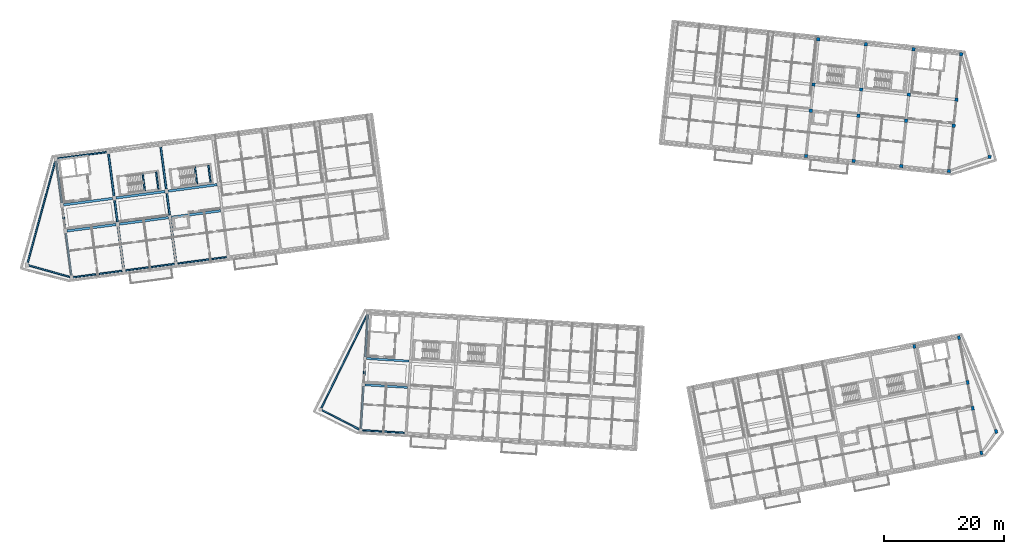
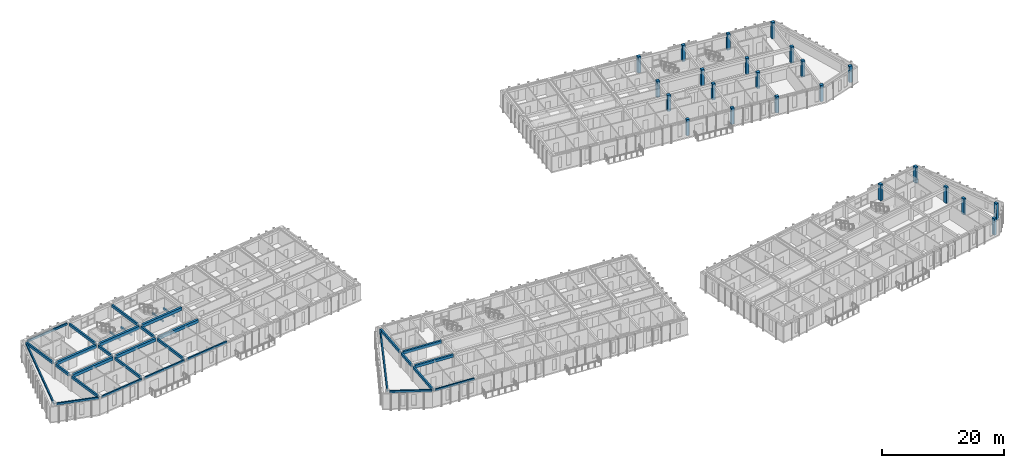
# One storey, part 2 of 68: 33 beams, 23 columns.
"""IFC4 building model written with IfcOpenShell, lengths in metres."""

from ifc_helpers import new_model, si_unit, direction, frame, origin, origin_2d, place, context, subcontext, project, spatial, rectangle, extrude, material, material_profile, profile_set, type_object, element, save


model = new_model("IFC4")

# Units and contexts
model_context = context("Model", 3, precision=1e-05, world=origin(), true_north=direction((0.0, 1.0)))
body_context = subcontext(model_context, "Body", "Model", "MODEL_VIEW")
ifc_project = project(units=[si_unit("LENGTHUNIT", "METRE"), si_unit("AREAUNIT", "SQUARE_METRE"), si_unit("VOLUMEUNIT", "CUBIC_METRE"), si_unit("PLANEANGLEUNIT", "RADIAN"), si_unit("MASSUNIT", "GRAM", prefix="KILO")], contexts=[model_context])

# Site, building, storey
site_placement = place(None, origin())
site = spatial("IfcSite", under=ifc_project, at=site_placement, CompositionType="ELEMENT")
building_placement = place(site_placement, origin())
building = spatial("IfcBuilding", under=site, at=building_placement, Name="Kestramere Prow Commons", CompositionType="ELEMENT")
storey_placement = place(building_placement, frame((0.0, 0.0, 18.14990234375)))
storey = spatial("IfcBuildingStorey", under=building, at=storey_placement, Name="L05", CompositionType="ELEMENT", Elevation=18.14990234375)

# Columns
ifc_material_1 = material(Name="Precast concrete C40/50", Category="concrete")
ifc_material_profile_1 = material_profile(ifc_material_1, rectangle(XDim=0.550048828125, YDim=0.550048828125, at=origin_2d()), Name="PC-COL 550x550")
ifc_profile_set_1 = profile_set([ifc_material_profile_1], Name="Precast concrete C40/50")
column_type_1 = type_object("IfcColumnType", Name="C-B2 PC-COL 550x550", PredefinedType="COLUMN", material=ifc_profile_set_1)
for number, where, z_axis, x_axis, name in (
    (1, (133.868408203125, 92.291259765625, 0.0), (0.0, 0.0, 1.0), (0.994521895368, -0.104528463268, 0.0), "Block B L05 Column 4-1"),
    (2, (134.662841796875, 99.849609375, 0.0), (0.0, 0.0, 1.0), (0.994521895368, -0.104528463268, 0.0), "Block B L05 Column 4-2"),
    (3, (135.122802734375, 104.2255859375, 0.0), (0.0, 0.0, 1.0), (0.994521895368, -0.104528463268, 0.0), "Block B L05 Column 4-3"),
    (4, (135.917236328125, 111.783935546875, 0.0), (0.0, 0.0, 1.0), (0.994521895368, -0.104528463268, 0.0), "Block B L05 Column 4-4"),
    (5, (141.82470703125, 91.455078125, 0.0), (0.0, 0.0, 1.0), (0.994521895368, -0.104528463268, 0.0), "Block B L05 Column 5-1"),
    (6, (142.619140625, 99.013427734375, 0.0), (0.0, 0.0, 1.0), (0.994521895368, -0.104528463268, 0.0), "Block B L05 Column 5-2"),
    (7, (143.0791015625, 103.389404296875, 0.0), (0.0, 0.0, 1.0), (0.994521895368, -0.104528463268, 0.0), "Block B L05 Column 5-3"),
    (8, (143.87353515625, 110.94775390625, 0.0), (0.0, 0.0, 1.0), (0.994521895368, -0.104528463268, 0.0), "Block B L05 Column 5-4"),
    (9, (149.78076171875, 90.618896484375, 0.0), (0.0, 0.0, 1.0), (0.994521895368, -0.104528463268, 0.0), "Block B L05 Column 6-1"),
    (10, (150.5751953125, 98.17724609375, 0.0), (0.0, 0.0, 1.0), (0.994521895368, -0.104528463268, 0.0), "Block B L05 Column 6-2"),
    (11, (151.03515625, 102.55322265625, 0.0), (0.0, 0.0, 1.0), (0.994521895368, -0.104528463268, 0.0), "Block B L05 Column 6-3"),
    (12, (151.82958984375, 110.111572265625, 0.0), (0.0, 0.0, 1.0), (0.994521895368, -0.104528463268, 0.0), "Block B L05 Column 6-4"),
    (13, (157.737060546875, 89.78271484375, 0.0), (0.0, 0.0, 1.0), (0.994521895368, -0.104528463268, 0.0), "Block B L05 Column 7-1"),
    (14, (158.531494140625, 97.341064453125, 0.0), (0.0, 0.0, 1.0), (0.994521895368, -0.104528463268, 0.0), "Block B L05 Column 7-2"),
    (15, (158.991455078125, 101.716796875, 0.0), (0.0, 0.0, 1.0), (0.994521895368, -0.104528463268, 0.0), "Block B L05 Column 7-3"),
    (16, (159.785888671875, 109.275146484375, 0.0), (0.0, 0.0, 1.0), (0.994521895368, -0.104528463268, 0.0), "Block B L05 Column 7-4"),
    (17, (164.520263671875, 92.136474609375, 0.0), (0.0, 0.0, 1.0), (0.994521895368, -0.104528463268, 0.0), "Block B L05 Prow Apex Column"),
):
    element("IfcColumn", number, at=place(storey_placement, frame(where, z_axis=z_axis, x_axis=x_axis)), inside=storey, type_object=column_type_1, Name=name, PredefinedType="COLUMN", context=body_context, shape_type="SweptSolid", body=[
        extrude(rectangle(XDim=0.550048828125, YDim=0.550048828125, at=origin_2d()), origin(), (0.0, 0.0, 1.0), 3.25),
    ])
ifc_material_profile_2 = material_profile(ifc_material_1, rectangle(XDim=0.449951171875, YDim=0.64990234375, at=origin_2d()), Name="PC-COL 450x650")
ifc_profile_set_2 = profile_set([ifc_material_profile_2], Name="Precast concrete C40/50")
column_type_2 = type_object("IfcColumnType", Name="C-D3 PC-COL 450x650", PredefinedType="COLUMN", material=ifc_profile_set_2)
for number, where, z_axis, x_axis, name in (
    (18, (151.9619140625, 60.49072265625, 0.0), (0.0, 0.0, 1.0), (0.981627183448, 0.190808995377, 0.0), "Block D L05 Column 6-4"),
    (19, (163.162109375, 42.700927734375, 0.0), (0.0, 0.0, 1.0), (0.981627183448, 0.190808995377, 0.0), "Block D L05 Column 7-1"),
    (20, (161.712158203125, 50.161376953125, 0.0), (0.0, 0.0, 1.0), (0.981627183448, 0.190808995377, 0.0), "Block D L05 Column 7-2"),
    (21, (160.87255859375, 54.48046875, 0.0), (0.0, 0.0, 1.0), (0.981627183448, 0.190808995377, 0.0), "Block D L05 Column 7-3"),
    (22, (159.42236328125, 61.940673828125, 0.0), (0.0, 0.0, 1.0), (0.981627183448, 0.190808995377, 0.0), "Block D L05 Column 7-4"),
    (23, (165.623291015625, 46.286376953125, 0.0), (0.0, 0.0, 1.0), (0.981627183448, 0.190808995377, 0.0), "Block D L05 Prow Apex Column"),
):
    element("IfcColumn", number, at=place(storey_placement, frame(where, z_axis=z_axis, x_axis=x_axis)), inside=storey, type_object=column_type_2, Name=name, PredefinedType="COLUMN", context=body_context, shape_type="SweptSolid", body=[
        extrude(rectangle(XDim=0.449951171875, YDim=0.64990234375, at=origin_2d()), origin(), (0.0, 0.0, 1.0), 3.25),
    ])

# Beams
ifc_material_profile_3 = material_profile(ifc_material_1, rectangle(XDim=0.39990234375, YDim=0.60009765625, at=origin_2d()), Name="PC-BM 400x600")
ifc_profile_set_3 = profile_set([ifc_material_profile_3], Name="Precast concrete C40/50")
beam_type_1 = type_object("IfcBeamType", Name="BM-A1 PC-BM 400x600", PredefinedType="BEAM", material=ifc_profile_set_3)
for number, where, z_axis, x_axis, name in (
    (24, (10.45458984375, 79.76904296875, 2.7001953125), (0.991443917843, 0.130533358852, 0.0), (-0.130533358852, 0.991443917843, 0.0), "Block A L05 Longitudinal Beam 2-1"),
    (25, (19.17919921875, 80.917724609375, 2.7001953125), (0.991443917843, 0.130533358852, 0.0), (-0.130533358852, 0.991443917843, 0.0), "Block A L05 Longitudinal Beam 2-2"),
    (26, (27.904052734375, 82.06640625, 2.7001953125), (0.991443917843, 0.130533358852, 0.0), (-0.130533358852, 0.991443917843, 0.0), "Block A L05 Longitudinal Beam 2-3"),
    (27, (9.880126953125, 84.131591796875, 2.7001953125), (0.991447747213, 0.130504270221, 0.0), (-0.130504270221, 0.991447747213, 0.0), "Block A L05 Longitudinal Beam 3-1"),
    (28, (18.60498046875, 85.2802734375, 2.7001953125), (0.991447747213, 0.130504270221, 0.0), (-0.130504270221, 0.991447747213, 0.0), "Block A L05 Longitudinal Beam 3-2"),
    (29, (27.32958984375, 86.4287109375, 2.7001953125), (0.991443917843, 0.130533358852, 0.0), (-0.130533358852, 0.991443917843, 0.0), "Block A L05 Longitudinal Beam 3-3"),
):
    element("IfcBeam", number, at=place(storey_placement, frame(where, z_axis=z_axis, x_axis=x_axis)), inside=storey, type_object=beam_type_1, Name=name, PredefinedType="BEAM", context=body_context, shape_type="SweptSolid", body=[
        extrude(rectangle(XDim=0.39990234375, YDim=0.60009765625, at=origin_2d()), origin(), (0.0, 0.0, 1.0), 8.25),
    ])
ifc_material_profile_4 = material_profile(ifc_material_1, rectangle(XDim=0.35009765625, YDim=0.550048828125, at=origin_2d()), Name="PC-BM 350x550")
ifc_profile_set_4 = profile_set([ifc_material_profile_4], Name="Precast concrete C40/50")
beam_type_2 = type_object("IfcBeamType", Name="BM-C1 PC-BM 350x550", PredefinedType="BEAM", material=ifc_profile_set_4)
for number, where, z_axis, x_axis, name in (
    (30, (60.213623046875, 54.070556640625, 2.72509765625), (0.998135568114, -0.061035953884, 0.0), (0.061035953884, 0.998135568114, 0.0), "Block C L05 Longitudinal Beam 2-1"),
    (31, (60.482177734375, 58.46240234375, 2.72509765625), (0.998133472633, -0.061070212127, 0.0), (0.061070212127, 0.998133472633, 0.0), "Block C L05 Longitudinal Beam 3-1"),
):
    element("IfcBeam", number, at=place(storey_placement, frame(where, z_axis=z_axis, x_axis=x_axis)), inside=storey, type_object=beam_type_2, Name=name, PredefinedType="BEAM", context=body_context, shape_type="SweptSolid", body=[
        extrude(rectangle(XDim=0.35009765625, YDim=0.550048828125, at=origin_2d()), origin(), (0.0, 0.0, 1.0), 7.099853515625),
    ])
ifc_material_2 = material(Name="Concrete C40/50", Category="concrete")
ifc_material_profile_5 = material_profile(ifc_material_2, rectangle(XDim=0.25, YDim=0.35009765625, at=origin_2d()), Name="PC-BM 250x350")
ifc_profile_set_5 = profile_set([ifc_material_profile_5], Name="Concrete C40/50")
beam_type_3 = type_object("IfcBeamType", Name="BM-ST-TRIM", PredefinedType="BEAM", material=ifc_profile_set_5)
for number, where, z_axis, x_axis, name in (
    (32, (23.4384765625, 86.451171875, 1.25), (-0.130520071219, 0.9914456672, 0.0), (-0.9914456672, -0.130520071219, 0.0), "ST-A1 L05 Landing Trimmer Beam 1A"),
    (33, (25.698974609375, 86.748779296875, 1.25), (-0.130520071219, 0.9914456672, 0.0), (-0.9914456672, -0.130520071219, 0.0), "ST-A1 L05 Landing Trimmer Beam 1B"),
):
    element("IfcBeam", number, at=place(storey_placement, frame(where, z_axis=z_axis, x_axis=x_axis)), inside=storey, type_object=beam_type_3, Name=name, PredefinedType="BEAM", context=body_context, shape_type="SweptSolid", body=[
        extrude(rectangle(XDim=0.25, YDim=0.35009765625, at=origin_2d()), origin(), (0.0, 0.0, 1.0), 2.889892578125),
    ])
for number, where, z_axis, x_axis, name in (
    (34, (32.1630859375, 87.599609375, 1.25), (-0.130509140242, 0.99144710616, 0.0), (-0.99144710616, -0.130509140242, 0.0), "ST-A2 L05 Landing Trimmer Beam 1A"),
    (35, (34.423583984375, 87.897216796875, 1.25), (-0.130509140242, 0.99144710616, 0.0), (-0.99144710616, -0.130509140242, 0.0), "ST-A2 L05 Landing Trimmer Beam 1B"),
):
    element("IfcBeam", number, at=place(storey_placement, frame(where, z_axis=z_axis, x_axis=x_axis)), inside=storey, type_object=beam_type_3, Name=name, PredefinedType="BEAM", context=body_context, shape_type="SweptSolid", body=[
        extrude(rectangle(XDim=0.25, YDim=0.35009765625, at=origin_2d()), origin(), (0.0, 0.0, 1.0), 2.89013671875),
    ])
ifc_material_profile_6 = material_profile(ifc_material_1, rectangle(XDim=0.300048828125, YDim=0.5, at=origin_2d()), Name="PC-BM 300x500")
ifc_profile_set_6 = profile_set([ifc_material_profile_6], Name="Precast concrete C40/50")
beam_type_4 = type_object("IfcBeamType", Name="BM-TIE-01 PC-BM 300x500", PredefinedType="BEAM", material=ifc_profile_set_6)
beam_1_placement = place(storey_placement, frame((11.151123046875, 72.371826171875, 2.75), z_axis=(-0.130519009654, 0.99144580695, 0.0), x_axis=(-0.99144580695, -0.130519009654, 0.0)))
element("IfcBeam", 36, at=beam_1_placement, inside=storey, type_object=beam_type_4, Name="Block A L05 Transverse Beam 1-1", PredefinedType="BEAM", context=body_context, shape_type="SweptSolid", body=[
    extrude(rectangle(XDim=0.300048828125, YDim=0.5, at=origin_2d()), origin(), (0.0, 0.0, 1.0), 7.050048828125),
])
beam_2_placement = place(storey_placement, frame((10.133056640625, 80.10498046875, 2.75), z_axis=(-0.13056005306, 0.991440402921, 0.0), x_axis=(-0.991440402921, -0.13056005306, 0.0)))
element("IfcBeam", 37, at=beam_2_placement, inside=storey, type_object=beam_type_4, Name="Block A L05 Transverse Beam 1-2", PredefinedType="BEAM", context=body_context, shape_type="SweptSolid", body=[
    extrude(rectangle(XDim=0.300048828125, YDim=0.5, at=origin_2d()), origin(), (0.0, 0.0, 1.0), 3.650146484375),
])
for number, where, z_axis, x_axis, name in (
    (38, (9.55859375, 84.467529296875, 2.75), (-0.130523490966, 0.991445216997, 0.0), (-0.991445216997, -0.130523490966, 0.0), "Block A L05 Transverse Beam 1-3"),
    (39, (19.875732421875, 73.5205078125, 2.75), (-0.130523490966, 0.991445216997, 0.0), (-0.991445216997, -0.130523490966, 0.0), "Block A L05 Transverse Beam 2-1"),
):
    element("IfcBeam", number, at=place(storey_placement, frame(where, z_axis=z_axis, x_axis=x_axis)), inside=storey, type_object=beam_type_4, Name=name, PredefinedType="BEAM", context=body_context, shape_type="SweptSolid", body=[
        extrude(rectangle(XDim=0.300048828125, YDim=0.5, at=origin_2d()), origin(), (0.0, 0.0, 1.0), 7.0498046875),
    ])
beam_3_placement = place(storey_placement, frame((18.857666015625, 81.253662109375, 2.75), z_axis=(-0.130494307047, 0.991449058615, 0.0), x_axis=(-0.991449058615, -0.130494307047, 0.0)))
element("IfcBeam", 40, at=beam_3_placement, inside=storey, type_object=beam_type_4, Name="Block A L05 Transverse Beam 2-2", PredefinedType="BEAM", context=body_context, shape_type="SweptSolid", body=[
    extrude(rectangle(XDim=0.300048828125, YDim=0.5, at=origin_2d()), origin(), (0.0, 0.0, 1.0), 3.650146484375),
])
for number, where, z_axis, x_axis, name in (
    (41, (18.283447265625, 85.615966796875, 2.75), (-0.130553049113, 0.991441325227, 0.0), (-0.991441325227, -0.130553049113, 0.0), "Block A L05 Transverse Beam 2-3"),
    (42, (28.6005859375, 74.6689453125, 2.75), (-0.130553049113, 0.991441325227, 0.0), (-0.991441325227, -0.130553049113, 0.0), "Block A L05 Transverse Beam 3-1"),
):
    element("IfcBeam", number, at=place(storey_placement, frame(where, z_axis=z_axis, x_axis=x_axis)), inside=storey, type_object=beam_type_4, Name=name, PredefinedType="BEAM", context=body_context, shape_type="SweptSolid", body=[
        extrude(rectangle(XDim=0.300048828125, YDim=0.5, at=origin_2d()), origin(), (0.0, 0.0, 1.0), 7.050048828125),
    ])
beam_4_placement = place(storey_placement, frame((27.582275390625, 82.40234375, 2.75), z_axis=(-0.130502961205, 0.991447919518, 0.0), x_axis=(-0.991447919518, -0.130502961205, 0.0)))
element("IfcBeam", 43, at=beam_4_placement, inside=storey, type_object=beam_type_4, Name="Block A L05 Transverse Beam 3-2", PredefinedType="BEAM", context=body_context, shape_type="SweptSolid", body=[
    extrude(rectangle(XDim=0.300048828125, YDim=0.5, at=origin_2d()), origin(), (0.0, 0.0, 1.0), 3.64990234375),
])
beam_5_placement = place(storey_placement, frame((27.008056640625, 86.7646484375, 2.75), z_axis=(-0.130519009654, 0.99144580695, 0.0), x_axis=(-0.99144580695, -0.130519009654, 0.0)))
element("IfcBeam", 44, at=beam_5_placement, inside=storey, type_object=beam_type_4, Name="Block A L05 Transverse Beam 3-3", PredefinedType="BEAM", context=body_context, shape_type="SweptSolid", body=[
    extrude(rectangle(XDim=0.300048828125, YDim=0.5, at=origin_2d()), origin(), (0.0, 0.0, 1.0), 7.050048828125),
])
beam_6_placement = place(storey_placement, frame((59.515380859375, 46.74951171875, 2.75), z_axis=(0.061035953884, 0.998135568114, 0.0), x_axis=(-0.998135568114, 0.061035953884, 0.0)))
element("IfcBeam", 45, at=beam_6_placement, inside=storey, type_object=beam_type_4, Name="Block C L05 Transverse Beam 1-1", PredefinedType="BEAM", context=body_context, shape_type="SweptSolid", body=[
    extrude(rectangle(XDim=0.300048828125, YDim=0.5, at=origin_2d()), origin(), (0.0, 0.0, 1.0), 7.099853515625),
])
beam_7_placement = place(storey_placement, frame((59.979248046875, 54.33544921875, 2.75), z_axis=(0.061037511668, 0.998135472854, 0.0), x_axis=(-0.998135472854, 0.061037511668, 0.0)))
element("IfcBeam", 46, at=beam_7_placement, inside=storey, type_object=beam_type_4, Name="Block C L05 Transverse Beam 1-2", PredefinedType="BEAM", context=body_context, shape_type="SweptSolid", body=[
    extrude(rectangle(XDim=0.300048828125, YDim=0.5, at=origin_2d()), origin(), (0.0, 0.0, 1.0), 3.89990234375),
])
beam_8_placement = place(storey_placement, frame((60.247802734375, 58.72705078125, 2.75), z_axis=(0.061068116134, 0.998133600873, 0.0), x_axis=(-0.998133600873, 0.061068116134, 0.0)))
element("IfcBeam", 47, at=beam_8_placement, inside=storey, type_object=beam_type_4, Name="Block C L05 Transverse Beam 1-3", PredefinedType="BEAM", context=body_context, shape_type="SweptSolid", body=[
    extrude(rectangle(XDim=0.300048828125, YDim=0.5, at=origin_2d()), origin(), (0.0, 0.0, 1.0), 7.10009765625),
])
ifc_material_profile_7 = material_profile(ifc_material_1, rectangle(XDim=0.25, YDim=0.39990234375, at=origin_2d()), Name="PC-SP 250x400")
ifc_profile_set_7 = profile_set([ifc_material_profile_7], Name="Precast concrete C40/50")
beam_type_5 = type_object("IfcBeamType", Name="SP-EXT-01 PC-SP 250x400", PredefinedType="SPANDREL", material=ifc_profile_set_7)
beam_9_placement = place(storey_placement, frame((10.930419921875, 72.075927734375, 2.800048828125), z_axis=(-0.96246176941, 0.271417284681, 0.0), x_axis=(-0.271417284681, -0.96246176941, 0.0)))
element("IfcBeam", 48, at=beam_9_placement, inside=storey, type_object=beam_type_5, Name="Block A L05 Prow Facet Beam S", PredefinedType="SPANDREL", context=body_context, shape_type="SweptSolid", body=[
    extrude(rectangle(XDim=0.25, YDim=0.39990234375, at=origin_2d()), origin(), (0.0, 0.0, 1.0), 7.167236328125),
])
beam_10_placement = place(storey_placement, frame((8.515869140625, 91.558837890625, 2.800048828125), z_axis=(-0.262653591278, -0.964890196338, 0.0), x_axis=(0.964890196338, -0.262653591278, 0.0)))
element("IfcBeam", 49, at=beam_10_placement, inside=storey, type_object=beam_type_5, Name="Block A L05 Prow Facet Beam N", PredefinedType="SPANDREL", context=body_context, shape_type="SweptSolid", body=[
    extrude(rectangle(XDim=0.25, YDim=0.39990234375, at=origin_2d()), origin(), (0.0, 0.0, 1.0), 17.81689453125),
])
for number, where, z_axis, x_axis, name in (
    (50, (11.47265625, 72.035888671875, 2.800048828125), (0.991443917843, 0.130533358852, 0.0), (-0.130533358852, 0.991443917843, 0.0), "Block A L05 Longitudinal Beam 1-1"),
    (51, (20.197265625, 73.1845703125, 2.800048828125), (0.991443917843, 0.130533358852, 0.0), (-0.130533358852, 0.991443917843, 0.0), "Block A L05 Longitudinal Beam 1-2"),
    (52, (28.922119140625, 74.333251953125, 2.800048828125), (0.991447747213, 0.130504270221, 0.0), (-0.130504270221, 0.991447747213, 0.0), "Block A L05 Longitudinal Beam 1-3"),
    (53, (8.862060546875, 91.86474609375, 2.800048828125), (0.991443917843, 0.130533358852, 0.0), (-0.130533358852, 0.991443917843, 0.0), "Block A L05 Longitudinal Beam 4-1"),
):
    element("IfcBeam", number, at=place(storey_placement, frame(where, z_axis=z_axis, x_axis=x_axis)), inside=storey, type_object=beam_type_5, Name=name, PredefinedType="SPANDREL", context=body_context, shape_type="SweptSolid", body=[
        extrude(rectangle(XDim=0.25, YDim=0.39990234375, at=origin_2d()), origin(), (0.0, 0.0, 1.0), 8.25),
    ])
beam_11_placement = place(storey_placement, frame((59.251220703125, 46.628662109375, 2.800048828125), z_axis=(-0.888240269485, 0.459379171998, 0.0), x_axis=(-0.459379171998, -0.888240269485, 0.0)))
element("IfcBeam", 54, at=beam_11_placement, inside=storey, type_object=beam_type_5, Name="Block C L05 Prow Facet Beam S", PredefinedType="SPANDREL", context=body_context, shape_type="SweptSolid", body=[
    extrude(rectangle(XDim=0.25, YDim=0.39990234375, at=origin_2d()), origin(), (0.0, 0.0, 1.0), 6.98388671875),
])
beam_12_placement = place(storey_placement, frame((60.5732421875, 65.81201171875, 2.800048828125), z_axis=(-0.440448933016, -0.897777665909, 0.0), x_axis=(0.897777665909, -0.440448933016, 0.0)))
element("IfcBeam", 55, at=beam_12_placement, inside=storey, type_object=beam_type_5, Name="Block C L05 Prow Facet Beam N", PredefinedType="SPANDREL", context=body_context, shape_type="SweptSolid", body=[
    extrude(rectangle(XDim=0.25, YDim=0.39990234375, at=origin_2d()), origin(), (0.0, 0.0, 1.0), 17.37060546875),
])
beam_13_placement = place(storey_placement, frame((59.74951171875, 46.484619140625, 2.800048828125), z_axis=(0.998135568114, -0.061035953884, 0.0), x_axis=(0.061035953884, 0.998135568114, 0.0)))
element("IfcBeam", 56, at=beam_13_placement, inside=storey, type_object=beam_type_5, Name="Block C L05 Longitudinal Beam 1-1", PredefinedType="SPANDREL", context=body_context, shape_type="SweptSolid", body=[
    extrude(rectangle(XDim=0.25, YDim=0.39990234375, at=origin_2d()), origin(), (0.0, 0.0, 1.0), 7.099853515625),
])

save(model, "model.ifc")
